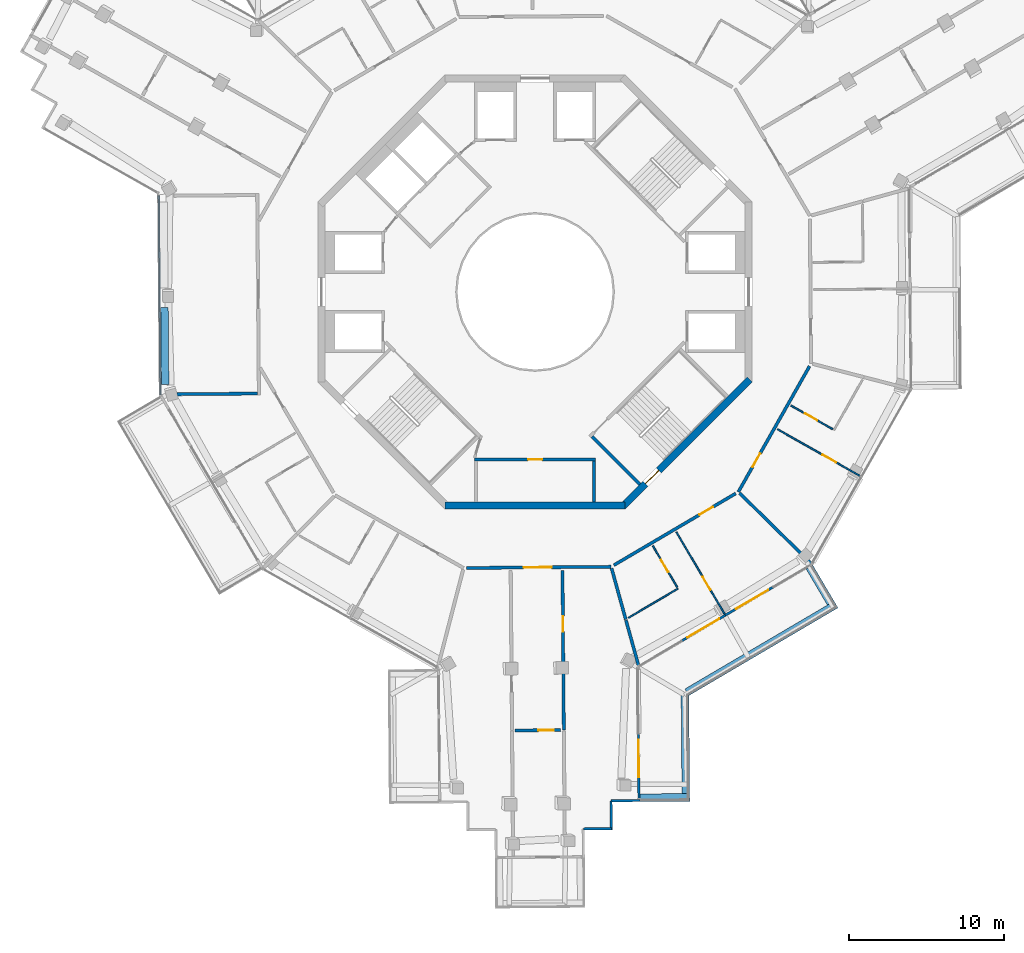
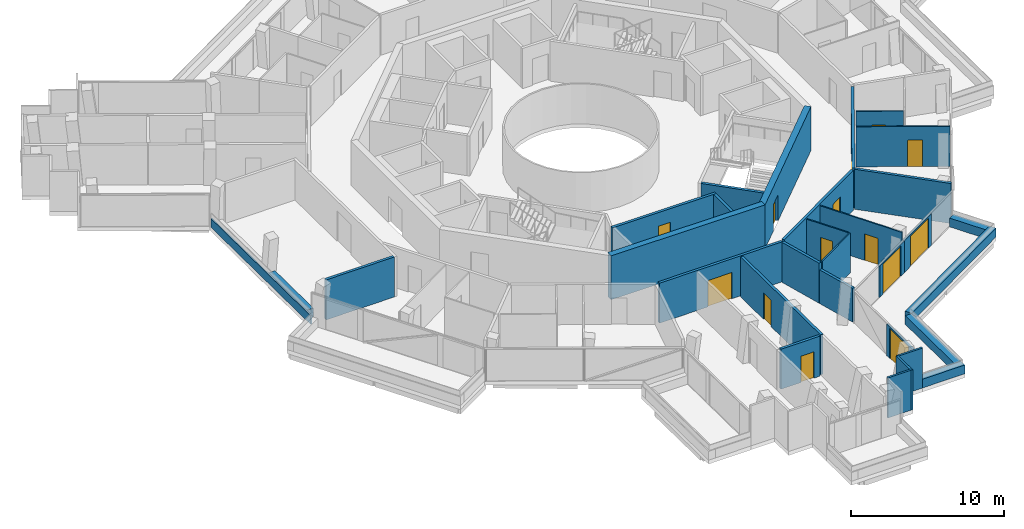
# One storey, part 19 of 26: 31 walls, 14 doors, 14 openings.
"""IFC4 building model written with IfcOpenShell, lengths in metres."""

import ifcopenshell
import ifcopenshell.guid

model = None  # the IFC model being written
_history = None  # IfcOwnerHistory: only IFC2X3 demands one
_inside = {}  # id of a spatial element -> (the spatial element, [elements in it])
_under = {}  # id of a project, library or spatial element -> (it, [spatial elements below it])
_declared = {}  # id of a project -> (the project, [libraries it declares])
_typed = {}  # id of a type object -> (the type object, [elements of that type])
_made_of = {}  # id of a material, layer set ... -> (it, [elements and type objects made of it])


def new_model(schema):
    """Start an empty IFC model of exactly this schema.

    Asked for "IFC4X3", IfcOpenShell would pick the latest addendum, in which some entities
    have other attributes; the version numbers below select the first issue.
    IFC2X3 requires an IfcOwnerHistory on every rooted entity: one is made here for all.
    """
    global model, _history
    if schema == "IFC4X3":
        model = ifcopenshell.file(schema_version=(4, 3, 0, 0))
    else:
        model = ifcopenshell.file(schema=schema)
    _inside.clear()
    _under.clear()
    _declared.clear()
    _typed.clear()
    _made_of.clear()
    _history = None
    if model.schema == "IFC2X3":
        org = make("IfcOrganization", Name="unknown")
        user = make(
            "IfcPersonAndOrganization",
            ThePerson=make("IfcPerson", FamilyName="unknown"),
            TheOrganization=org,
        )
        app = make(
            "IfcApplication",
            ApplicationDeveloper=org,
            Version="unknown",
            ApplicationFullName="unknown",
            ApplicationIdentifier="unknown",
        )
        _history = make(
            "IfcOwnerHistory",
            OwningUser=user,
            OwningApplication=app,
            ChangeAction="ADDED",
            CreationDate=0,
        )
    return model


def make(cls, **values):
    """One entity of the class cls with the attributes given. An attribute that is None is left unset."""
    return model.create_entity(
        cls, **{name: value for name, value in values.items() if value is not None}
    )


def rooted(cls, **values):
    """An entity with a GlobalId (a new one), such as an element, a storey or a relation."""
    return make(cls, GlobalId=ifcopenshell.guid.new(), OwnerHistory=_history, **values)


def si_unit(unit_type, name, prefix=None):
    """IfcSIUnit, for example si_unit("LENGTHUNIT", "METRE", prefix="MILLI")."""
    return make("IfcSIUnit", UnitType=unit_type, Prefix=prefix, Name=name)


def assignment(units):
    """IfcUnitAssignment: the units of a project."""
    return None if units is None else make("IfcUnitAssignment", Units=units)


def point(xyz):
    """IfcCartesianPoint."""
    return None if xyz is None else make("IfcCartesianPoint", Coordinates=xyz)


def direction(xyz):
    """IfcDirection."""
    return None if xyz is None else make("IfcDirection", DirectionRatios=xyz)


def frame(location, z_axis=None, x_axis=None):
    """IfcAxis2Placement3D, a coordinate frame: its origin and axes. An axis left out is left unset."""
    return make(
        "IfcAxis2Placement3D",
        Location=point(location),
        Axis=direction(z_axis),
        RefDirection=direction(x_axis),
    )


def frame_2d(location, x_axis=None):
    """IfcAxis2Placement2D, a coordinate frame in the plane: its origin and x axis."""
    return make(
        "IfcAxis2Placement2D", Location=point(location), RefDirection=direction(x_axis)
    )


def origin():
    """The frame at (0, 0, 0) with its axes left unset."""
    return frame((0.0, 0.0, 0.0))


def place(relative_to, where):
    """IfcLocalPlacement: puts the frame where relative to a parent placement (None: the world)."""
    return make(
        "IfcLocalPlacement", PlacementRelTo=relative_to, RelativePlacement=where
    )


def context(
    kind, dimensions, precision=None, world=None, true_north=None, identifier=None
):
    """IfcGeometricRepresentationContext, for example the 3D "Model" context."""
    return make(
        "IfcGeometricRepresentationContext",
        ContextIdentifier=identifier,
        ContextType=kind,
        CoordinateSpaceDimension=dimensions,
        Precision=precision,
        WorldCoordinateSystem=world,
        TrueNorth=true_north,
    )


def subcontext(parent, identifier, kind, view, scale=None):
    """IfcGeometricRepresentationSubContext, for example "Body" below "Model"."""
    return make(
        "IfcGeometricRepresentationSubContext",
        ContextIdentifier=identifier,
        ContextType=kind,
        ParentContext=parent,
        TargetScale=scale,
        TargetView=view,
    )


def project(units=None, contexts=None):
    """IfcProject with its units and contexts."""
    return rooted(
        "IfcProject",
        Name="project",
        RepresentationContexts=contexts,
        UnitsInContext=assignment(units),
    )


def spatial(cls, under=None, at=None, **own):
    """A site, building, storey or space (cls), placed at a placement, below another one or the project."""
    s = rooted(cls, ObjectPlacement=at, **own)
    if under is not None:
        _under.setdefault(under.id(), (under, []))[1].append(s)
    return s


def profile(cls, at=None, kind="AREA", **sizes):
    """A parametric profile (cls). Its sizes go by their IFC names, for example OverallWidth=200.0."""
    return make(cls, ProfileType=kind, Position=at, **sizes)


def rectangle(**sizes):
    """IfcRectangleProfileDef."""
    return profile("IfcRectangleProfileDef", **sizes)


def extrude(swept, where, along, depth):
    """IfcExtrudedAreaSolid: the profile swept, set in the frame where, extruded along a direction by depth."""
    return make(
        "IfcExtrudedAreaSolid",
        SweptArea=swept,
        Position=where,
        ExtrudedDirection=direction(along),
        Depth=depth,
    )


def shape(context_of_items, identifier, shape_type, items):
    """IfcShapeRepresentation: the items that make up one representation, for example the "Body"."""
    return make(
        "IfcShapeRepresentation",
        ContextOfItems=context_of_items,
        RepresentationIdentifier=identifier,
        RepresentationType=shape_type,
        Items=items,
    )


def material(Name=None, Category=None):
    """IfcMaterial."""
    return make("IfcMaterial", Name=Name, Category=Category)


def layer(
    of_material, thickness, ventilated=None, Name=None, Category=None, Priority=None
):
    """IfcMaterialLayer: one layer of a wall or slab, of a material (None: an air gap)."""
    return make(
        "IfcMaterialLayer",
        Material=of_material,
        LayerThickness=thickness,
        IsVentilated=ventilated,
        Name=Name,
        Category=Category,
        Priority=Priority,
    )


def layer_set(layers, Name=None):
    """IfcMaterialLayerSet."""
    return make("IfcMaterialLayerSet", MaterialLayers=layers, LayerSetName=Name)


def made_of(thing, what):
    """Note that an element or type object is made of a material, layer set ...; save() writes the relation."""
    if what is not None:
        _made_of.setdefault(what.id(), (what, []))[1].append(thing)
    return thing


def type_object(cls, material=None, **own):
    """A type object (cls), such as IfcWallType, which elements share."""
    return made_of(rooted(cls, **own), material)


def element(
    cls,
    number,
    at=None,
    inside=None,
    cuts=None,
    type_object=None,
    material=None,
    context=None,
    identifier="Body",
    shape_type=None,
    held_by="IfcProductDefinitionShape",
    body=None,
    shapes=None,
    **own,
):
    """One element of the class cls, such as IfcWall. Its Tag is "e" and its number.

    at: its placement. inside: the storey or other place that contains it. cuts: it is an
    opening in that element (IfcRelVoidsElement). A single representation is given by context,
    identifier, shape_type and body (its items); several are given by shapes. held_by: the class
    of the entity that holds the representations. save() writes the other relations.
    """
    e = rooted(cls, Tag="e%d" % number, ObjectPlacement=at, **own)
    if body is not None:
        shapes = [shape(context, identifier, shape_type, body)]
    if shapes is not None:
        e.Representation = make(held_by, Representations=shapes)
    if inside is not None:
        _inside.setdefault(inside.id(), (inside, []))[1].append(e)
    if cuts is not None:
        rooted(
            "IfcRelVoidsElement", RelatingBuildingElement=cuts, RelatedOpeningElement=e
        )
    if type_object is not None:
        _typed.setdefault(type_object.id(), (type_object, []))[1].append(e)
    return made_of(e, material)


def fill(opening, filler):
    """IfcRelFillsElement: the door or window that sits in an opening."""
    return rooted(
        "IfcRelFillsElement",
        RelatingOpeningElement=opening,
        RelatedBuildingElement=filler,
    )


def aggregate(whole, parts):
    """IfcRelAggregates: a whole, such as a stair, and the parts it consists of."""
    return rooted("IfcRelAggregates", RelatingObject=whole, RelatedObjects=parts)


def save(model, path):
    """Write the relations noted so far, then the file.

    IfcRelAggregates (storeys below a building ...), IfcRelContainedInSpatialStructure (elements
    in a storey), IfcRelDefinesByType, IfcRelAssociatesMaterial and IfcRelDeclares: one each for
    every whole, place, type object, material and project.
    """
    for whole, parts in _under.values():
        aggregate(whole, parts)
    for where, things in _inside.values():
        rooted(
            "IfcRelContainedInSpatialStructure",
            RelatedElements=things,
            RelatingStructure=where,
        )
    for kind, things in _typed.values():
        rooted("IfcRelDefinesByType", RelatedObjects=things, RelatingType=kind)
    for what, things in _made_of.values():
        rooted("IfcRelAssociatesMaterial", RelatedObjects=things, RelatingMaterial=what)
    for by, libraries in _declared.values():
        rooted("IfcRelDeclares", RelatingContext=by, RelatedDefinitions=libraries)
    model.write(path)


model = new_model("IFC4")

# Units and contexts
model_context = context("Model", 3, precision=1e-05, world=origin(), true_north=direction((0.0, 1.0)))
body_context = subcontext(model_context, "Body", "Model", "MODEL_VIEW")
ifc_project = project(units=[si_unit("LENGTHUNIT", "METRE"), si_unit("AREAUNIT", "SQUARE_METRE"), si_unit("VOLUMEUNIT", "CUBIC_METRE"), si_unit("PLANEANGLEUNIT", "RADIAN"), si_unit("MASSUNIT", "GRAM", prefix="KILO")], contexts=[model_context])

# Site, building, storey
site_placement = place(None, origin())
site = spatial("IfcSite", under=ifc_project, at=site_placement, CompositionType="ELEMENT")
building_placement = place(site_placement, origin())
building = spatial("IfcBuilding", under=site, at=building_placement, Name="Verdalira Terraces Hotel", CompositionType="ELEMENT")
storey_placement = place(building_placement, frame((0.0, 0.0, 281.0)))
storey = spatial("IfcBuildingStorey", under=building, at=storey_placement, Name="L69", CompositionType="ELEMENT", Elevation=281.0)

# Walls
ifc_material_1 = material(Name="Concrete C40", Category="concrete")
ifc_layer_1 = layer(ifc_material_1, 0.5)
ifc_layer_set_1 = layer_set([ifc_layer_1], Name="Balcony planter trough with tree")
wall_type_1 = type_object("IfcWallType", Name="Balcony planter trough with tree", PredefinedType="SOLIDWALL", material=ifc_layer_set_1)
wall_1_placement = place(storey_placement, frame((6.774414, -32.612793, 0.0), z_axis=(0.0, 0.0, 1.0), x_axis=(0.999964764, 0.008394728, 0.0)))
element("IfcWall", 1, at=wall_1_placement, inside=storey, type_object=wall_type_1, Name="Balcony planter", PredefinedType="SOLIDWALL", context=body_context, shape_type="SweptSolid", body=[
    extrude(rectangle(XDim=3.198975, YDim=0.5, at=frame_2d((1.599609, 0.0))), origin(), (0.0, 0.0, 1.0), 0.699951),
])
wall_2_placement = place(storey_placement, frame((9.721191, -32.338135, 0.0), z_axis=(0.0, 0.0, 1.0), x_axis=(-0.008353992, 0.999965105, 0.0)))
element("IfcWall", 2, at=wall_2_placement, inside=storey, type_object=wall_type_1, Name="Balcony planter", PredefinedType="SOLIDWALL", context=body_context, shape_type="SweptSolid", body=[
    extrude(rectangle(XDim=6.3125, YDim=0.5, at=frame_2d((3.15625, 0.0))), origin(), (0.0, 0.0, 1.0), 0.699951),
])
wall_3_placement = place(storey_placement, frame((9.791504, -25.808105, 0.0), z_axis=(0.0, 0.0, 1.0), x_axis=(0.861816013, 0.507221017, 0.0)))
element("IfcWall", 3, at=wall_3_placement, inside=storey, type_object=wall_type_1, Name="Balcony planter", PredefinedType="SOLIDWALL", context=body_context, shape_type="SweptSolid", body=[
    extrude(rectangle(XDim=11.152344, YDim=0.5, at=frame_2d((5.576172, 0.0))), origin(), (0.0, 0.0, 1.0), 0.699951),
])
wall_4_placement = place(storey_placement, frame((19.060547, -20.062744, 0.0), z_axis=(0.0, 0.0, 1.0), x_axis=(-0.507174285, 0.861843515, 0.0)))
element("IfcWall", 4, at=wall_4_placement, inside=storey, type_object=wall_type_1, Name="Balcony planter", PredefinedType="SOLIDWALL", context=body_context, shape_type="SweptSolid", body=[
    extrude(rectangle(XDim=2.698975, YDim=0.5, at=frame_2d((1.349609, 0.0))), origin(), (0.0, 0.0, 1.0), 0.699951),
])
ifc_material_2 = material(Name="Moisture-resistant gypsum board partition")
ifc_layer_2 = layer(ifc_material_2, 0.10009765625)
ifc_layer_set_2 = layer_set([ifc_layer_2], Name="Bathroom partition 100 mm")
wall_type_2 = type_object("IfcWallType", Name="Bathroom partition 100 mm", PredefinedType="PARTITIONING", material=ifc_layer_set_2)
wall_5_placement = place(storey_placement, frame((6.024902, -21.005127, 0.0), z_axis=(0.0, 0.0, 1.0), x_axis=(0.861795243, 0.507256305, 0.0)))
element("IfcWall", 5, at=wall_5_placement, inside=storey, type_object=wall_type_2, Name="Bathroom partition", PredefinedType="PARTITIONING", context=body_context, shape_type="SweptSolid", body=[
    extrude(rectangle(XDim=3.704102, YDim=0.100098, at=frame_2d((1.852051, 0.0))), origin(), (0.0, 0.0, 1.0), 3.189941),
])

# Wall, opening, door
wall_6_placement = place(storey_placement, frame((9.16626, -19.040039, 0.0), z_axis=(0.0, 0.0, 1.0), x_axis=(-0.5072507, 0.861798542, 0.0)))
wall_6 = element("IfcWall", 6, at=wall_6_placement, inside=storey, type_object=wall_type_2, Name="Bathroom partition", PredefinedType="PARTITIONING", context=body_context, shape_type="SweptSolid", body=[
    extrude(rectangle(XDim=3.100098, YDim=0.100098, at=frame_2d((1.550049, 0.0))), origin(), (0.0, 0.0, 1.0), 3.189941),
])
opening_1_placement = place(wall_6_placement, frame((1.149902, 0.0, 0.0)))
opening_1 = element("IfcOpeningElement", 7, at=opening_1_placement, cuts=wall_6, Name="Opening L69-117", PredefinedType="OPENING", context=body_context, shape_type="SweptSolid", body=[
    extrude(rectangle(XDim=0.899902, YDim=2.100098, at=frame_2d((0.449951, 1.050049))), frame((0.0, 0.060059, 0.0), z_axis=(0.0, -1.0, 0.0), x_axis=(1.0, 0.0, 0.0)), (0.0, 0.0, 1.0), 0.120117),
])
ifc_material_3 = material(Name="Timber door", Category="wood")
door_type_1 = type_object("IfcDoorType", Name="Bathroom door 900 x 2100", OperationType="NOTDEFINED", PredefinedType="DOOR", material=ifc_material_3)
door_1_placement = place(opening_1_placement, origin())
door_1 = element("IfcDoor", 8, at=door_1_placement, inside=storey, type_object=door_type_1, Name="Bathroom door 6905", OperationType="SINGLE_SWING_LEFT", OverallHeight=2.10009765625, OverallWidth=0.89990234375, PredefinedType="DOOR", context=body_context, shape_type="SweptSolid", body=[
    extrude(rectangle(XDim=0.899902, YDim=2.100098, at=frame_2d((0.449951, 1.050049))), frame((0.0, 0.024902, 0.0), z_axis=(0.0, -1.0, 0.0), x_axis=(1.0, 0.0, 0.0)), (0.0, 0.0, 1.0), 0.050049),
])
fill(opening_1, door_1)

wall_7_placement = place(storey_placement, frame((12.22876, -20.776611, 0.0), z_axis=(0.0, 0.0, 1.0), x_axis=(-0.507256048, 0.861795394, 0.0)))
wall_7 = element("IfcWall", 9, at=wall_7_placement, inside=storey, type_object=wall_type_2, Name="Bathroom partition", PredefinedType="PARTITIONING", context=body_context, shape_type="SweptSolid", body=[
    extrude(rectangle(XDim=6.149902, YDim=0.100098, at=frame_2d((3.074951, 0.0))), origin(), (0.0, 0.0, 1.0), 3.189941),
])
opening_2_placement = place(wall_7_placement, frame((1.800049, 0.0, 0.0)))
opening_2 = element("IfcOpeningElement", 10, at=opening_2_placement, cuts=wall_7, Name="Opening L69-116", PredefinedType="OPENING", context=body_context, shape_type="SweptSolid", body=[
    extrude(rectangle(XDim=1.0, YDim=2.100098, at=frame_2d((0.5, 1.050049))), frame((0.0, 0.060059, 0.0), z_axis=(0.0, -1.0, 0.0), x_axis=(1.0, 0.0, 0.0)), (0.0, 0.0, 1.0), 0.120117),
])
ifc_material_4 = material(Name="Timber door", Category="wood")
door_type_2 = type_object("IfcDoorType", Name="Suite internal door 1000 x 2100", OperationType="NOTDEFINED", PredefinedType="DOOR", material=ifc_material_4)
door_2_placement = place(opening_2_placement, origin())
door_2 = element("IfcDoor", 11, at=door_2_placement, inside=storey, type_object=door_type_2, Name="Suite internal door 6905", OperationType="SINGLE_SWING_LEFT", OverallHeight=2.10009765625, OverallWidth=1.0, PredefinedType="DOOR", context=body_context, shape_type="SweptSolid", body=[
    extrude(rectangle(XDim=1.0, YDim=2.100098, at=frame_2d((0.5, 1.050049))), frame((0.0, 0.024902, 0.0), z_axis=(0.0, -1.0, 0.0), x_axis=(1.0, 0.0, 0.0)), (0.0, 0.0, 1.0), 0.050049),
])
fill(opening_2, door_2)

wall_8_placement = place(storey_placement, frame((16.493408, -7.318604, 0.0), z_axis=(0.0, 0.0, 1.0), x_axis=(0.870194419, -0.492708506, 0.0)))
wall_8 = element("IfcWall", 12, at=wall_8_placement, inside=storey, type_object=wall_type_2, Name="Bathroom partition", PredefinedType="PARTITIONING", context=body_context, shape_type="SweptSolid", body=[
    extrude(rectangle(XDim=3.099854, YDim=0.100098, at=frame_2d((1.549805, 0.0))), origin(), (0.0, 0.0, 1.0), 3.189941),
])
opening_3_placement = place(wall_8_placement, frame((1.050049, 0.0, 0.0)))
opening_3 = element("IfcOpeningElement", 13, at=opening_3_placement, cuts=wall_8, Name="Opening L69-120", PredefinedType="OPENING", context=body_context, shape_type="SweptSolid", body=[
    extrude(rectangle(XDim=0.899902, YDim=2.100098, at=frame_2d((0.449951, 1.050049))), frame((0.0, 0.060059, 0.0), z_axis=(0.0, -1.0, 0.0), x_axis=(1.0, 0.0, 0.0)), (0.0, 0.0, 1.0), 0.120117),
])
door_3_placement = place(opening_3_placement, origin())
door_3 = element("IfcDoor", 14, at=door_3_placement, inside=storey, type_object=door_type_1, Name="Bathroom door 6906", OperationType="SINGLE_SWING_RIGHT", OverallHeight=2.10009765625, OverallWidth=0.89990234375, PredefinedType="DOOR", context=body_context, shape_type="SweptSolid", body=[
    extrude(rectangle(XDim=0.899902, YDim=2.100098, at=frame_2d((0.449951, 1.050049))), frame((0.0, 0.024902, 0.0), z_axis=(0.0, -1.0, 0.0), x_axis=(1.0, 0.0, 0.0)), (0.0, 0.0, 1.0), 0.050049),
])
fill(opening_3, door_3)

wall_9_placement = place(storey_placement, frame((15.626953, -8.848633, 0.0), z_axis=(0.0, 0.0, 1.0), x_axis=(0.870190704, -0.492715069, 0.0)))
wall_9 = element("IfcWall", 15, at=wall_9_placement, inside=storey, type_object=wall_type_2, Name="Bathroom partition", PredefinedType="PARTITIONING", context=body_context, shape_type="SweptSolid", body=[
    extrude(rectangle(XDim=6.150146, YDim=0.100098, at=frame_2d((3.075195, 0.0))), origin(), (0.0, 0.0, 1.0), 3.189941),
])
opening_4_placement = place(wall_9_placement, frame((3.350098, 0.0, 0.0)))
opening_4 = element("IfcOpeningElement", 16, at=opening_4_placement, cuts=wall_9, Name="Opening L69-119", PredefinedType="OPENING", context=body_context, shape_type="SweptSolid", body=[
    extrude(rectangle(XDim=1.0, YDim=2.100098, at=frame_2d((0.5, 1.050049))), frame((0.0, 0.060059, 0.0), z_axis=(0.0, -1.0, 0.0), x_axis=(1.0, 0.0, 0.0)), (0.0, 0.0, 1.0), 0.120117),
])
door_4_placement = place(opening_4_placement, origin())
door_4 = element("IfcDoor", 17, at=door_4_placement, inside=storey, type_object=door_type_2, Name="Suite internal door 6906", OperationType="SINGLE_SWING_LEFT", OverallHeight=2.10009765625, OverallWidth=1.0, PredefinedType="DOOR", context=body_context, shape_type="SweptSolid", body=[
    extrude(rectangle(XDim=1.0, YDim=2.100098, at=frame_2d((0.5, 1.050049))), frame((0.0, 0.024902, 0.0), z_axis=(0.0, -1.0, 0.0), x_axis=(1.0, 0.0, 0.0)), (0.0, 0.0, 1.0), 0.050049),
])
fill(opening_4, door_4)

ifc_material_5 = material(Name="Concrete C50", Category="concrete")
ifc_layer_3 = layer(ifc_material_5, 0.199951171875)
ifc_layer_set_3 = layer_set([ifc_layer_3], Name="Core RC wall 200 C50")
wall_type_3 = type_object("IfcWallType", Name="Core RC wall 200 C50", PredefinedType="SOLIDWALL", material=ifc_layer_set_3)
wall_10_placement = place(storey_placement, frame((-3.899902, -10.800049, 0.0), z_axis=(0.0, 0.0, 1.0), x_axis=(1.0, 0.0, 0.0)))
wall_10 = element("IfcWall", 18, at=wall_10_placement, inside=storey, type_object=wall_type_3, Name="L69 store front wall", PredefinedType="SOLIDWALL", context=body_context, shape_type="SweptSolid", body=[
    extrude(rectangle(XDim=7.799805, YDim=0.199951, at=frame_2d((3.899902, 0.0))), origin(), (0.0, 0.0, 1.0), 3.189941),
])
opening_5_placement = place(wall_10_placement, frame((3.449951, 0.0, 0.0)))
opening_5 = element("IfcOpeningElement", 19, at=opening_5_placement, cuts=wall_10, Name="Opening L69-801", PredefinedType="OPENING", context=body_context, shape_type="SweptSolid", body=[
    extrude(rectangle(XDim=0.899902, YDim=2.100098, at=frame_2d((0.449951, 1.050049))), frame((0.0, 0.109863, 0.0), z_axis=(0.0, -1.0, 0.0), x_axis=(1.0, 0.0, 0.0)), (0.0, 0.0, 1.0), 0.219971),
])
ifc_material_6 = material(Name="Steel fire door", Category="steel")
door_type_3 = type_object("IfcDoorType", Name="Core room door 900 x 2100", OperationType="NOTDEFINED", PredefinedType="DOOR", material=ifc_material_6)
door_5_placement = place(opening_5_placement, origin())
door_5 = element("IfcDoor", 20, at=door_5_placement, inside=storey, type_object=door_type_3, Name="Store door L69 SS", OperationType="SINGLE_SWING_LEFT", OverallHeight=2.10009765625, OverallWidth=0.89990234375, PredefinedType="DOOR", context=body_context, shape_type="SweptSolid", body=[
    extrude(rectangle(XDim=0.899902, YDim=2.100098, at=frame_2d((0.449951, 1.050049))), frame((0.0, 0.024902, 0.0), z_axis=(0.0, -1.0, 0.0), x_axis=(1.0, 0.0, 0.0)), (0.0, 0.0, 1.0), 0.050049),
])
fill(opening_5, door_5)

# Walls
wall_11_placement = place(storey_placement, frame((3.800049, -10.899902, 0.0), z_axis=(0.0, 0.0, 1.0), x_axis=(0.0, -1.0, 0.0)))
element("IfcWall", 21, at=wall_11_placement, inside=storey, type_object=wall_type_3, Name="L69 store side wall", PredefinedType="SOLIDWALL", context=body_context, shape_type="SweptSolid", body=[
    extrude(rectangle(XDim=2.650146, YDim=0.199951, at=frame_2d((1.325195, 0.0))), origin(), (0.0, 0.0, 1.0), 3.189941),
])
wall_12_placement = place(storey_placement, frame((3.677002, -9.33374, 0.0), z_axis=(0.0, 0.0, 1.0), x_axis=(0.707106781, -0.707106781, 0.0)))
element("IfcWall", 22, at=wall_12_placement, inside=storey, type_object=wall_type_3, Name="L69 stair ST3 end wall 1", PredefinedType="SOLIDWALL", context=body_context, shape_type="SweptSolid", body=[
    extrude(rectangle(XDim=4.350098, YDim=0.199951, at=frame_2d((2.175049, 0.0))), origin(), (0.0, 0.0, 1.0), 3.189941),
])
ifc_material_7 = material(Name="Concrete C50", Category="concrete")
ifc_layer_4 = layer(ifc_material_7, 0.449951171875)
ifc_layer_set_4 = layer_set([ifc_layer_4], Name="Core wall 450 C50")
wall_type_4 = type_object("IfcWallType", Name="Core wall 450 C50", PredefinedType="SHEAR", material=ifc_layer_set_4)
wall_13_placement = place(storey_placement, frame((-5.799072, -13.774902, 0.0), z_axis=(0.0, 0.0, 1.0), x_axis=(1.0, 0.0, 0.0)))
element("IfcWall", 23, at=wall_13_placement, inside=storey, type_object=wall_type_4, Name="Core wall CW-L69-7", PredefinedType="SHEAR", context=body_context, shape_type="SweptSolid", body=[
    extrude(rectangle(XDim=11.598145, YDim=0.449951, at=frame_2d((5.799072, 0.0))), origin(), (0.0, 0.0, 1.0), 3.5),
])

# Wall, opening, door
wall_14_placement = place(storey_placement, frame((5.639893, -13.84082, 0.0), z_axis=(0.0, 0.0, 1.0), x_axis=(0.707106781, 0.707106781, 0.0)))
wall_14 = element("IfcWall", 24, at=wall_14_placement, inside=storey, type_object=wall_type_4, Name="Core wall CW-L69-8", PredefinedType="SHEAR", context=body_context, shape_type="SweptSolid", body=[
    extrude(rectangle(XDim=11.5979, YDim=0.449951, at=frame_2d((5.798828, 0.0))), origin(), (0.0, 0.0, 1.0), 3.5),
])
opening_6_placement = place(wall_14_placement, frame((2.099121, 0.0, 0.0)))
opening_6 = element("IfcOpeningElement", 25, at=opening_6_placement, cuts=wall_14, Name="Opening L69-818", PredefinedType="OPENING", context=body_context, shape_type="SweptSolid", body=[
    extrude(rectangle(XDim=1.199951, YDim=2.100098, at=frame_2d((0.600098, 1.050049))), frame((0.0, 0.234863, 0.0), z_axis=(0.0, -1.0, 0.0), x_axis=(1.0, 0.0, 0.0)), (0.0, 0.0, 1.0), 0.469971),
])
ifc_material_8 = material(Name="Steel fire door", Category="steel")
door_type_4 = type_object("IfcDoorType", Name="Stair door 1200 x 2100", OperationType="NOTDEFINED", PredefinedType="DOOR", material=ifc_material_8)
door_6_placement = place(opening_6_placement, origin())
door_6 = element("IfcDoor", 26, at=door_6_placement, inside=storey, type_object=door_type_4, Name="Stair exit door ST3 L69", OperationType="SINGLE_SWING_LEFT", OverallHeight=2.10009765625, OverallWidth=1.199951171875, PredefinedType="DOOR", context=body_context, shape_type="SweptSolid", body=[
    extrude(rectangle(XDim=1.199951, YDim=2.100098, at=frame_2d((0.600098, 1.050049))), frame((0.0, 0.024902, 0.0), z_axis=(0.0, -1.0, 0.0), x_axis=(1.0, 0.0, 0.0)), (0.0, 0.0, 1.0), 0.050049),
])
fill(opening_6, door_6)

ifc_material_9 = material(Name="Fire-rated gypsum board wall")
ifc_layer_5 = layer(ifc_material_9, 0.199951171875)
ifc_layer_set_5 = layer_set([ifc_layer_5], Name="Demising wall 200 mm")
wall_type_5 = type_object("IfcWallType", Name="Demising wall 200 mm", PredefinedType="SOLIDWALL", material=ifc_layer_set_5)
wall_15_placement = place(storey_placement, frame((1.65625, -28.245361, 0.0), z_axis=(0.0, 0.0, 1.0), x_axis=(-0.999964858, -0.008383535, 0.0)))
wall_15 = element("IfcWall", 27, at=wall_15_placement, inside=storey, type_object=wall_type_5, Name="Demising wall", PredefinedType="SOLIDWALL", context=body_context, shape_type="SweptSolid", body=[
    extrude(rectangle(XDim=2.941162, YDim=0.199951, at=frame_2d((1.470703, 0.0))), origin(), (0.0, 0.0, 1.0), 3.189941),
])
opening_7_placement = place(wall_15_placement, frame((0.449951, 0.0, 0.0)))
opening_7 = element("IfcOpeningElement", 28, at=opening_7_placement, cuts=wall_15, Name="Opening L69-114", PredefinedType="OPENING", context=body_context, shape_type="SweptSolid", body=[
    extrude(rectangle(XDim=1.0, YDim=2.100098, at=frame_2d((0.5, 1.050049))), frame((0.0, 0.109863, 0.0), z_axis=(0.0, -1.0, 0.0), x_axis=(1.0, 0.0, 0.0)), (0.0, 0.0, 1.0), 0.219971),
])
ifc_material_10 = material(Name="Timber fire door", Category="wood")
door_type_5 = type_object("IfcDoorType", Name="Public room door 1000 x 2100", OperationType="NOTDEFINED", PredefinedType="DOOR", material=ifc_material_10)
door_7_placement = place(opening_7_placement, origin())
door_7 = element("IfcDoor", 29, at=door_7_placement, inside=storey, type_object=door_type_5, Name="Public room door 6904", OperationType="SINGLE_SWING_LEFT", OverallHeight=2.10009765625, OverallWidth=1.0, PredefinedType="DOOR", context=body_context, shape_type="SweptSolid", body=[
    extrude(rectangle(XDim=1.0, YDim=2.100098, at=frame_2d((0.5, 1.050049))), frame((0.0, 0.024902, 0.0), z_axis=(0.0, -1.0, 0.0), x_axis=(1.0, 0.0, 0.0)), (0.0, 0.0, 1.0), 0.050049),
])
fill(opening_7, door_7)

wall_16_placement = place(storey_placement, frame((1.77002, -17.944092, 0.0), z_axis=(0.0, 0.0, 1.0), x_axis=(0.008365429, -0.999965009, 0.0)))
wall_16 = element("IfcWall", 30, at=wall_16_placement, inside=storey, type_object=wall_type_5, Name="Demising wall", PredefinedType="SOLIDWALL", context=body_context, shape_type="SweptSolid", body=[
    extrude(rectangle(XDim=10.302002, YDim=0.199951, at=frame_2d((5.150879, 0.0))), origin(), (0.0, 0.0, 1.0), 3.189941),
])
opening_8_placement = place(wall_16_placement, frame((2.949951, 0.0, 0.0)))
opening_8 = element("IfcOpeningElement", 31, at=opening_8_placement, cuts=wall_16, Name="Opening L69-113", PredefinedType="OPENING", context=body_context, shape_type="SweptSolid", body=[
    extrude(rectangle(XDim=1.0, YDim=2.100098, at=frame_2d((0.5, 1.050049))), frame((0.0, 0.109863, 0.0), z_axis=(0.0, -1.0, 0.0), x_axis=(1.0, 0.0, 0.0)), (0.0, 0.0, 1.0), 0.219971),
])
door_8_placement = place(opening_8_placement, origin())
door_8 = element("IfcDoor", 32, at=door_8_placement, inside=storey, type_object=door_type_5, Name="Public room door 6904", OperationType="SINGLE_SWING_LEFT", OverallHeight=2.10009765625, OverallWidth=1.0, PredefinedType="DOOR", context=body_context, shape_type="SweptSolid", body=[
    extrude(rectangle(XDim=1.0, YDim=2.100098, at=frame_2d((0.5, 1.050049))), frame((0.0, 0.024902, 0.0), z_axis=(0.0, -1.0, 0.0), x_axis=(1.0, 0.0, 0.0)), (0.0, 0.0, 1.0), 0.050049),
])
fill(opening_8, door_8)

# Walls
wall_17_placement = place(storey_placement, frame((4.93457, -17.817627, 0.0), z_axis=(0.0, 0.0, 1.0), x_axis=(0.266892349, -0.963726348, 0.0)))
element("IfcWall", 33, at=wall_17_placement, inside=storey, type_object=wall_type_5, Name="Demising wall", PredefinedType="SOLIDWALL", context=body_context, shape_type="SweptSolid", body=[
    extrude(rectangle(XDim=3.418457, YDim=0.199951, at=frame_2d((1.709229, 0.0))), origin(), (0.0, 0.0, 1.0), 3.189941),
])
wall_18_placement = place(storey_placement, frame((13.182373, -12.963135, 0.0), z_axis=(0.0, 0.0, 1.0), x_axis=(0.712982214, -0.701182118, 0.0)))
element("IfcWall", 34, at=wall_18_placement, inside=storey, type_object=wall_type_5, Name="Demising wall", PredefinedType="SOLIDWALL", context=body_context, shape_type="SweptSolid", body=[
    extrude(rectangle(XDim=6.47583, YDim=0.199951, at=frame_2d((3.237793, 0.0))), origin(), (0.0, 0.0, 1.0), 3.189941),
])
ifc_material_11 = material(Name="Fire-rated gypsum board wall")
ifc_layer_6 = layer(ifc_material_11, 0.199951171875)
ifc_layer_set_6 = layer_set([ifc_layer_6], Name="Demising wall 200 mm to beam soffit")
wall_type_6 = type_object("IfcWallType", Name="Demising wall 200 mm to beam soffit", PredefinedType="SOLIDWALL", material=ifc_layer_set_6)
wall_19_placement = place(storey_placement, frame((5.859131, -21.15625, 0.0), z_axis=(0.0, 0.0, 1.0), x_axis=(0.266949741, -0.963710452, 0.0)))
element("IfcWall", 35, at=wall_19_placement, inside=storey, type_object=wall_type_6, Name="Demising wall", PredefinedType="SOLIDWALL", context=body_context, shape_type="SweptSolid", body=[
    extrude(rectangle(XDim=3.011719, YDim=0.199951, at=frame_2d((1.505859, 0.0))), origin(), (0.0, 0.0, 1.0), 2.689941),
])

# Wall, opening, door
ifc_material_12 = material(Name="Fire-rated gypsum board wall")
ifc_layer_7 = layer(ifc_material_12, 0.199951171875)
ifc_layer_set_7 = layer_set([ifc_layer_7], Name="Guest corridor wall 200 mm")
wall_type_7 = type_object("IfcWallType", Name="Guest corridor wall 200 mm", PredefinedType="SOLIDWALL", material=ifc_layer_set_7)
wall_20_placement = place(storey_placement, frame((4.906982, -17.717773, 0.0), z_axis=(0.0, 0.0, 1.0), x_axis=(-0.999964842, -0.008385449, 0.0)))
wall_20 = element("IfcWall", 36, at=wall_20_placement, inside=storey, type_object=wall_type_7, Name="Guest corridor wall", PredefinedType="SOLIDWALL", context=body_context, shape_type="SweptSolid", body=[
    extrude(rectangle(XDim=9.31665, YDim=0.199951, at=frame_2d((4.658203, 0.0))), origin(), (0.0, 0.0, 1.0), 3.189941),
])
opening_9_placement = place(wall_20_placement, frame((3.838867, 0.0, 0.0)))
opening_9 = element("IfcOpeningElement", 37, at=opening_9_placement, cuts=wall_20, Name="Opening L69-111", PredefinedType="OPENING", context=body_context, shape_type="SweptSolid", body=[
    extrude(rectangle(XDim=1.800049, YDim=2.100098, at=frame_2d((0.899902, 1.050049))), frame((0.0, 0.109863, 0.0), z_axis=(0.0, -1.0, 0.0), x_axis=(1.0, 0.0, 0.0)), (0.0, 0.0, 1.0), 0.219971),
])
ifc_material_13 = material(Name="Timber fire door", Category="wood")
door_type_6 = type_object("IfcDoorType", Name="Public room double door 1800 x 2100", OperationType="NOTDEFINED", PredefinedType="DOOR", material=ifc_material_13)
door_9_placement = place(opening_9_placement, origin())
door_9 = element("IfcDoor", 38, at=door_9_placement, inside=storey, type_object=door_type_6, Name="Public room double door 6904", OperationType="DOUBLE_DOOR_SINGLE_SWING", OverallHeight=2.10009765625, OverallWidth=1.800048828125, PredefinedType="DOOR", context=body_context, shape_type="SweptSolid", body=[
    extrude(rectangle(XDim=1.800049, YDim=2.100098, at=frame_2d((0.899902, 1.050049))), frame((0.0, 0.024902, 0.0), z_axis=(0.0, -1.0, 0.0), x_axis=(1.0, 0.0, 0.0)), (0.0, 0.0, 1.0), 0.050049),
])
fill(opening_9, door_9)

wall_21_placement = place(storey_placement, frame((12.936035, -12.992188, 0.0), z_axis=(0.0, 0.0, 1.0), x_axis=(-0.861805451, -0.507238962, 0.0)))
wall_21 = element("IfcWall", 39, at=wall_21_placement, inside=storey, type_object=wall_type_7, Name="Guest corridor wall", PredefinedType="SOLIDWALL", context=body_context, shape_type="SweptSolid", body=[
    extrude(rectangle(XDim=9.116455, YDim=0.199951, at=frame_2d((4.558105, 0.0))), origin(), (0.0, 0.0, 1.0), 3.189941),
])
opening_10_placement = place(wall_21_placement, frame((1.699951, 0.0, 0.0)))
opening_10 = element("IfcOpeningElement", 40, at=opening_10_placement, cuts=wall_21, Name="Opening L69-115", PredefinedType="OPENING", context=body_context, shape_type="SweptSolid", body=[
    extrude(rectangle(XDim=1.0, YDim=2.100098, at=frame_2d((0.5, 1.050049))), frame((0.0, 0.109863, 0.0), z_axis=(0.0, -1.0, 0.0), x_axis=(1.0, 0.0, 0.0)), (0.0, 0.0, 1.0), 0.219971),
])
ifc_material_14 = material(Name="Timber fire door", Category="wood")
door_type_7 = type_object("IfcDoorType", Name="Guest entry door 1000 x 2100", OperationType="NOTDEFINED", PredefinedType="DOOR", material=ifc_material_14)
door_10_placement = place(opening_10_placement, origin())
door_10 = element("IfcDoor", 41, at=door_10_placement, inside=storey, type_object=door_type_7, Name="Guest entry door 6905", OperationType="SINGLE_SWING_LEFT", OverallHeight=2.10009765625, OverallWidth=1.0, PredefinedType="DOOR", context=body_context, shape_type="SweptSolid", body=[
    extrude(rectangle(XDim=1.0, YDim=2.100098, at=frame_2d((0.5, 1.050049))), frame((0.0, 0.024902, 0.0), z_axis=(0.0, -1.0, 0.0), x_axis=(1.0, 0.0, 0.0)), (0.0, 0.0, 1.0), 0.050049),
])
fill(opening_10, door_10)

wall_22_placement = place(storey_placement, frame((17.698975, -4.783447, 0.0), z_axis=(0.0, 0.0, 1.0), x_axis=(-0.492728899, -0.870182873, 0.0)))
wall_22 = element("IfcWall", 42, at=wall_22_placement, inside=storey, type_object=wall_type_7, Name="Guest corridor wall", PredefinedType="SOLIDWALL", context=body_context, shape_type="SweptSolid", body=[
    extrude(rectangle(XDim=9.31665, YDim=0.199951, at=frame_2d((4.658203, 0.0))), origin(), (0.0, 0.0, 1.0), 3.189941),
])
opening_11_placement = place(wall_22_placement, frame((6.458252, 0.0, 0.0)))
opening_11 = element("IfcOpeningElement", 43, at=opening_11_placement, cuts=wall_22, Name="Opening L69-118", PredefinedType="OPENING", context=body_context, shape_type="SweptSolid", body=[
    extrude(rectangle(XDim=1.0, YDim=2.100098, at=frame_2d((0.5, 1.050049))), frame((0.0, 0.109863, 0.0), z_axis=(0.0, -1.0, 0.0), x_axis=(1.0, 0.0, 0.0)), (0.0, 0.0, 1.0), 0.219971),
])
door_11_placement = place(opening_11_placement, origin())
door_11 = element("IfcDoor", 44, at=door_11_placement, inside=storey, type_object=door_type_7, Name="Guest entry door 6906", OperationType="SINGLE_SWING_LEFT", OverallHeight=2.10009765625, OverallWidth=1.0, PredefinedType="DOOR", context=body_context, shape_type="SweptSolid", body=[
    extrude(rectangle(XDim=1.0, YDim=2.100098, at=frame_2d((0.5, 1.050049))), frame((0.0, 0.024902, 0.0), z_axis=(0.0, -1.0, 0.0), x_axis=(1.0, 0.0, 0.0)), (0.0, 0.0, 1.0), 0.050049),
])
fill(opening_11, door_11)

# Walls
ifc_material_15 = material(Name="Terracotta cladding", Category="masonry")
ifc_layer_8 = layer(ifc_material_15, 0.199951171875)
ifc_layer_set_8 = layer_set([ifc_layer_8], Name="Loggia back wall 200")
wall_type_8 = type_object("IfcWallType", Name="Loggia back wall 200", PredefinedType="SOLIDWALL", material=ifc_layer_set_8)
wall_23_placement = place(storey_placement, frame((-23.072021, -6.593506, 0.0), z_axis=(0.0, 0.0, 1.0), x_axis=(0.999965043, 0.008361386, 0.0)))
element("IfcWall", 45, at=wall_23_placement, inside=storey, type_object=wall_type_8, Name="Loggia side wall", PredefinedType="SOLIDWALL", context=body_context, shape_type="SweptSolid", body=[
    extrude(rectangle(XDim=5.168213, YDim=0.199951, at=frame_2d((2.583984, 0.0))), origin(), (0.0, 0.0, 1.0), 3.189941),
])
ifc_material_16 = material(Name="Concrete C40", Category="concrete")
ifc_layer_9 = layer(ifc_material_16, 0.5)
ifc_layer_set_9 = layer_set([ifc_layer_9], Name="Loggia planter trough with tree")
wall_type_9 = type_object("IfcWallType", Name="Loggia planter trough with tree", PredefinedType="SOLIDWALL", material=ifc_layer_set_9)
wall_24_placement = place(storey_placement, frame((-23.900635, -1.011475, 0.0), z_axis=(0.0, 0.0, 1.0), x_axis=(0.008364614, -0.999965016, 0.0)))
element("IfcWall", 46, at=wall_24_placement, inside=storey, type_object=wall_type_9, Name="Loggia planter", PredefinedType="SOLIDWALL", context=body_context, shape_type="SweptSolid", body=[
    extrude(rectangle(XDim=4.961914, YDim=0.5, at=frame_2d((2.480957, 0.0))), origin(), (0.0, 0.0, 1.0), 0.699951),
])
ifc_material_17 = material(Name="Concrete C40", Category="concrete")
ifc_layer_10 = layer(ifc_material_17, 0.10009765625)
ifc_layer_set_10 = layer_set([ifc_layer_10], Name="Loggia upstand 100")
wall_type_10 = type_object("IfcWallType", Name="Loggia upstand 100", PredefinedType="SOLIDWALL", material=ifc_layer_set_10)
wall_25_placement = place(storey_placement, frame((-24.26123, 6.217041, 0.0), z_axis=(0.0, 0.0, 1.0), x_axis=(0.008366158, -0.999965003, 0.0)))
element("IfcWall", 47, at=wall_25_placement, inside=storey, type_object=wall_type_10, Name="Loggia upstand", PredefinedType="SOLIDWALL", context=body_context, shape_type="SweptSolid", body=[
    extrude(rectangle(XDim=12.840088, YDim=0.100098, at=frame_2d((6.419922, 0.0))), origin(), (0.0, 0.0, 1.0), 0.699951),
])
ifc_material_18 = material(Name="Terracotta cladding", Category="masonry")
ifc_layer_11 = layer(ifc_material_18, 0.14990234375)
ifc_layer_set_11 = layer_set([ifc_layer_11], Name="Terracotta clad wall 150")
wall_type_11 = type_object("IfcWallType", Name="Terracotta clad wall 150", PredefinedType="SOLIDWALL", material=ifc_layer_set_11)
wall_26_placement = place(storey_placement, frame((3.115234, -34.618652, 0.0), z_axis=(0.0, 0.0, 1.0), x_axis=(0.999964636, 0.008409903, 0.0)))
element("IfcWall", 48, at=wall_26_placement, inside=storey, type_object=wall_type_11, Name="Terracotta cladding wall", PredefinedType="SOLIDWALL", context=body_context, shape_type="SweptSolid", body=[
    extrude(rectangle(XDim=1.799805, YDim=0.149902, at=frame_2d((0.899902, 0.0))), origin(), (0.0, 0.0, 1.0), 3.189941),
])
for number, where, z_axis, x_axis, name in (
    (49, (4.915771, -34.678467, 0.0), (0.0, 0.0, 1.0), (-0.008463239, 0.999964186, 0.0), "Terracotta cladding wall"),
    (50, (4.899902, -32.803467, 0.0), (0.0, 0.0, 1.0), (0.99996528, 0.008333044, 0.0), "Terracotta cladding wall"),
):
    element("IfcWall", number, at=place(storey_placement, frame(where, z_axis=z_axis, x_axis=x_axis)), inside=storey, type_object=wall_type_11, Name=name, PredefinedType="SOLIDWALL", context=body_context, shape_type="SweptSolid", body=[
        extrude(rectangle(XDim=1.875, YDim=0.149902, at=frame_2d((0.9375, 0.0))), origin(), (0.0, 0.0, 1.0), 3.189941),
    ])

# Wall, opening, door
ifc_material_19 = material(Name="Terracotta cladding", Category="masonry")
ifc_layer_12 = layer(ifc_material_19, 0.14990234375)
ifc_layer_set_12 = layer_set([ifc_layer_12], Name="Terracotta door pier 150")
wall_type_12 = type_object("IfcWallType", Name="Terracotta door pier 150", PredefinedType="SOLIDWALL", material=ifc_layer_set_12)
wall_27_placement = place(storey_placement, frame((6.69873, -32.643555, 0.0), z_axis=(0.0, 0.0, 1.0), x_axis=(-0.008392216, 0.999964785, 0.0)))
wall_27 = element("IfcWall", 51, at=wall_27_placement, inside=storey, type_object=wall_type_12, Name="Terracotta door pier", PredefinedType="SOLIDWALL", context=body_context, shape_type="SweptSolid", body=[
    extrude(rectangle(XDim=4.160156, YDim=0.149902, at=frame_2d((2.080078, 0.0))), origin(), (0.0, 0.0, 1.0), 2.524902),
])
opening_12_placement = place(wall_27_placement, frame((1.360107, 0.0, 0.0)))
opening_12 = element("IfcOpeningElement", 52, at=opening_12_placement, cuts=wall_27, Name="Opening L69-B05", PredefinedType="OPENING", context=body_context, shape_type="SweptSolid", body=[
    extrude(rectangle(XDim=2.399902, YDim=2.399902, at=frame_2d((1.199951, 1.199951))), frame((0.0, 0.084961, 0.0), z_axis=(0.0, -1.0, 0.0), x_axis=(1.0, 0.0, 0.0)), (0.0, 0.0, 1.0), 0.169922),
])
ifc_material_20 = material(Name="Clear glass", Category="glass")
door_type_8 = type_object("IfcDoorType", Name="Balcony sliding door 2400x2400", OperationType="NOTDEFINED", PredefinedType="DOOR", material=ifc_material_20)
door_12_placement = place(opening_12_placement, origin())
door_12 = element("IfcDoor", 53, at=door_12_placement, inside=storey, type_object=door_type_8, Name="Balcony sliding door", OperationType="SLIDING_TO_LEFT", OverallHeight=2.39990234375, OverallWidth=2.39990234375, PredefinedType="DOOR", context=body_context, shape_type="SweptSolid", body=[
    extrude(rectangle(XDim=2.399902, YDim=2.399902, at=frame_2d((1.199951, 1.199951))), frame((0.0, 0.024902, 0.0), z_axis=(0.0, -1.0, 0.0), x_axis=(1.0, 0.0, 0.0)), (0.0, 0.0, 1.0), 0.050049),
])
fill(opening_12, door_12)

wall_28_placement = place(storey_placement, frame((9.46582, -22.489746, 0.0), z_axis=(0.0, 0.0, 1.0), x_axis=(0.861810594, 0.507230224, 0.0)))
wall_28 = element("IfcWall", 54, at=wall_28_placement, inside=storey, type_object=wall_type_12, Name="Terracotta door pier", PredefinedType="SOLIDWALL", context=body_context, shape_type="SweptSolid", body=[
    extrude(rectangle(XDim=3.25, YDim=0.149902, at=frame_2d((1.625, 0.0))), origin(), (0.0, 0.0, 1.0), 2.524902),
])
opening_13_placement = place(wall_28_placement, frame((0.399902, 0.0, 0.0)))
opening_13 = element("IfcOpeningElement", 55, at=opening_13_placement, cuts=wall_28, Name="Opening L69-B06", PredefinedType="OPENING", context=body_context, shape_type="SweptSolid", body=[
    extrude(rectangle(XDim=2.399902, YDim=2.399902, at=frame_2d((1.199951, 1.199951))), frame((0.0, 0.084961, 0.0), z_axis=(0.0, -1.0, 0.0), x_axis=(1.0, 0.0, 0.0)), (0.0, 0.0, 1.0), 0.169922),
])
door_13_placement = place(opening_13_placement, origin())
door_13 = element("IfcDoor", 56, at=door_13_placement, inside=storey, type_object=door_type_8, Name="Balcony sliding door", OperationType="SLIDING_TO_RIGHT", OverallHeight=2.39990234375, OverallWidth=2.39990234375, PredefinedType="DOOR", context=body_context, shape_type="SweptSolid", body=[
    extrude(rectangle(XDim=2.399902, YDim=2.399902, at=frame_2d((1.199951, 1.199951))), frame((0.0, 0.024902, 0.0), z_axis=(0.0, -1.0, 0.0), x_axis=(1.0, 0.0, 0.0)), (0.0, 0.0, 1.0), 0.050049),
])
fill(opening_13, door_13)

wall_29_placement = place(storey_placement, frame((12.266602, -20.841309, 0.0), z_axis=(0.0, 0.0, 1.0), x_axis=(0.8618108, 0.507229874, 0.0)))
wall_29 = element("IfcWall", 57, at=wall_29_placement, inside=storey, type_object=wall_type_12, Name="Terracotta door pier", PredefinedType="SOLIDWALL", context=body_context, shape_type="SweptSolid", body=[
    extrude(rectangle(XDim=3.611328, YDim=0.149902, at=frame_2d((1.805664, 0.0))), origin(), (0.0, 0.0, 1.0), 2.524902),
])
opening_14_placement = place(wall_29_placement, frame((0.811279, 0.0, 0.0)))
opening_14 = element("IfcOpeningElement", 58, at=opening_14_placement, cuts=wall_29, Name="Opening L69-B07", PredefinedType="OPENING", context=body_context, shape_type="SweptSolid", body=[
    extrude(rectangle(XDim=2.399902, YDim=2.399902, at=frame_2d((1.199951, 1.199951))), frame((0.0, 0.084961, 0.0), z_axis=(0.0, -1.0, 0.0), x_axis=(1.0, 0.0, 0.0)), (0.0, 0.0, 1.0), 0.169922),
])
door_14_placement = place(opening_14_placement, origin())
door_14 = element("IfcDoor", 59, at=door_14_placement, inside=storey, type_object=door_type_8, Name="Balcony sliding door", OperationType="SLIDING_TO_LEFT", OverallHeight=2.39990234375, OverallWidth=2.39990234375, PredefinedType="DOOR", context=body_context, shape_type="SweptSolid", body=[
    extrude(rectangle(XDim=2.399902, YDim=2.399902, at=frame_2d((1.199951, 1.199951))), frame((0.0, 0.024902, 0.0), z_axis=(0.0, -1.0, 0.0), x_axis=(1.0, 0.0, 0.0)), (0.0, 0.0, 1.0), 0.050049),
])
fill(opening_14, door_14)

save(model, "model.ifc")
